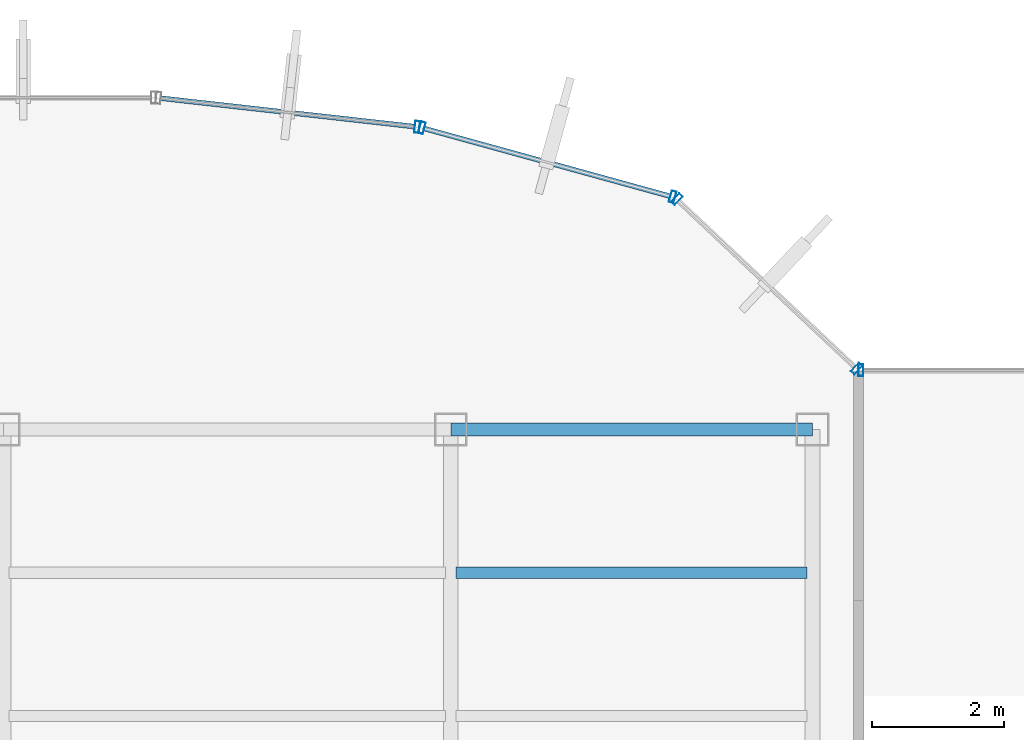
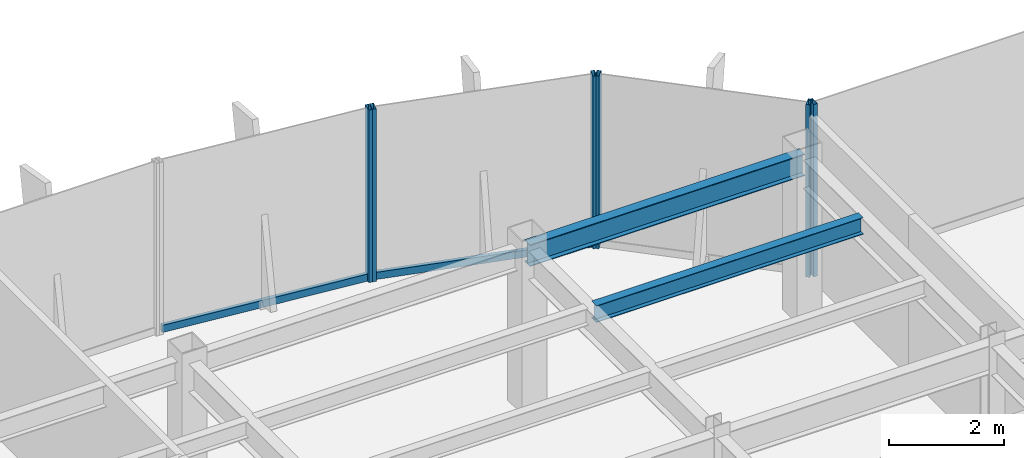
# One storey, part 13 of 21: 8 members, 2 beams, 4 elements without a shape of their own.
"""IFC4 building model written with IfcOpenShell, lengths in metres."""

from ifc_helpers import new_model, si_unit, derived_unit, direction, frame, origin, origin_2d, place, context, subcontext, project, spatial, hollow_rectangle, i_section, extrude, source, transform, mapped, material, material_profile, profile_set, type_object, element, aggregate, save


model = new_model("IFC4")

# Units and contexts
model_context = context("Model", 3, precision=1e-05, world=origin(), true_north=direction((0.0, 1.0)))
body_context = subcontext(model_context, "Body", "Model", "MODEL_VIEW")
ifc_project = project(units=[si_unit("LENGTHUNIT", "METRE"), si_unit("AREAUNIT", "SQUARE_METRE"), si_unit("VOLUMEUNIT", "CUBIC_METRE"), si_unit("PLANEANGLEUNIT", "RADIAN"), si_unit("MASSUNIT", "GRAM", prefix="KILO"), derived_unit("THERMALTRANSMITTANCEUNIT", [(si_unit("POWERUNIT", "WATT"), 1), (si_unit("LENGTHUNIT", "METRE"), -2), (si_unit("THERMODYNAMICTEMPERATUREUNIT", "KELVIN"), -1)])], contexts=[model_context])

# Site, building, storey
site_placement = place(None, origin())
site = spatial("IfcSite", under=ifc_project, at=site_placement, CompositionType="ELEMENT")
building_placement = place(site_placement, origin())
building = spatial("IfcBuilding", under=site, at=building_placement, Name="Skarnbrae Concourse Arena and Tower", CompositionType="ELEMENT")
storey_placement = place(building_placement, frame((0.0, 0.0, 188.60009765625)))
storey = spatial("IfcBuildingStorey", under=building, at=storey_placement, Name="L48", CompositionType="ELEMENT", Elevation=188.60009765625)

# Beams
ifc_material_1 = material(Name="Steel CSA G40.21 350W", Category="steel")
ifc_material_profile_1 = material_profile(ifc_material_1, i_section(OverallWidth=0.19091796875, OverallDepth=0.4599609375, WebThickness=0.010009765625, FlangeThickness=0.01611328125, at=origin_2d()), Name="W460X82")
ifc_profile_set_1 = profile_set([ifc_material_profile_1], Name="Steel CSA G40.21 350W")
beam_type_1 = type_object("IfcBeamType", Name="BM-SPAN-W460X82", PredefinedType="SPANDREL", material=ifc_profile_set_1)
shared_shape_1 = source(origin(), body_context, "Body", "SweptSolid", [
    extrude(i_section(OverallWidth=0.19091796875, OverallDepth=0.4599609375, WebThickness=0.010009765625, FlangeThickness=0.01611328125, at=origin_2d()), origin(), (0.0, 0.0, 1.0), 5.5),
])
beam_1_placement = place(storey_placement, frame((28.0, 34.39990234375, 3.169921875), z_axis=(1.0, 0.0, 0.0), x_axis=(0.0, 1.0, 0.0)))
element("IfcBeam", 1, at=beam_1_placement, inside=storey, type_object=beam_type_1, Name="L48 Perimeter spandrel Y34.4-4", PredefinedType="SPANDREL", context=body_context, shape_type="MappedRepresentation", body=[
    mapped(shared_shape_1, transform((0.0, 0.0, 0.0))),
])
ifc_material_profile_2 = material_profile(ifc_material_1, i_section(OverallWidth=0.1708984375, OverallDepth=0.35498046875, WebThickness=0.007080078125, FlangeThickness=0.01171875, at=origin_2d()), Name="W360X51")
ifc_profile_set_2 = profile_set([ifc_material_profile_2], Name="Steel CSA G40.21 350W")
beam_type_2 = type_object("IfcBeamType", Name="BM-JOIST-W360X51", PredefinedType="JOIST", material=ifc_profile_set_2)
shared_shape_2 = source(origin(), body_context, "Body", "SweptSolid", [
    extrude(i_section(OverallWidth=0.1708984375, OverallDepth=0.35498046875, WebThickness=0.007080078125, FlangeThickness=0.01171875, at=origin_2d()), origin(), (0.0, 0.0, 1.0), 5.33984375),
])
beam_2_placement = place(storey_placement, frame((28.080078125, 32.221923828125, 3.222412109375), z_axis=(1.0, 0.0, 0.0), x_axis=(0.0, 1.0, 0.0)))
element("IfcBeam", 2, at=beam_2_placement, inside=storey, type_object=beam_type_2, Name="L48 Secondary floor joist 3.2.4", PredefinedType="JOIST", context=body_context, shape_type="MappedRepresentation", body=[
    mapped(shared_shape_2, transform((0.0, 0.0, 0.0))),
])

# Curtain wall, member
ifc_material_2 = material(Name="Bronze anodised aluminium 6063-T6", Category="aluminium")
curtain_wall_type = type_object("IfcCurtainWallType", Name="CW-SYS-05-HIGHZONE", PredefinedType="USERDEFINED", material=ifc_material_2)
curtain_wall_1_placement = place(storey_placement, origin())
curtain_wall_1 = element("IfcCurtainWall", 3, at=curtain_wall_1_placement, inside=storey, type_object=curtain_wall_type, Name="L48 Unitised curtain wall CW-L48-E07", ObjectType="UNITISED CURTAIN WALL", PredefinedType="USERDEFINED")
ifc_material_profile_3 = material_profile(ifc_material_2, hollow_rectangle(XDim=0.074951171875, YDim=0.179931640625, WallThickness=0.00390625, at=origin_2d()), Name="ALU-MULL-75X180")
ifc_profile_set_3 = profile_set([ifc_material_profile_3], Name="Bronze anodised aluminium 6063-T6")
member_type_1 = type_object("IfcMemberType", Name="CWM-CW-05", PredefinedType="MULLION", material=ifc_profile_set_3)
shared_shape_3 = source(origin(), body_context, "Body", "SweptSolid", [
    extrude(hollow_rectangle(XDim=0.074951171875, YDim=0.179931640625, WallThickness=0.00390625, at=origin_2d()), origin(), (0.0, 0.0, 1.0), 3.64990234375),
])
member_1_placement = place(storey_placement, frame((34.237548828125, 35.300048828125, 0.0), z_axis=(0.0, 0.0, 1.0), x_axis=(-1.0, 0.0, 0.0)))
member_1 = element("IfcMember", 4, at=member_1_placement, type_object=member_type_1, Name="CW-L48-E07 Mullion 2", PredefinedType="MULLION", context=body_context, shape_type="MappedRepresentation", body=[
    mapped(shared_shape_3, transform((0.0, 0.0, 0.0))),
])
aggregate(curtain_wall_1, [member_1])

# Curtain wall, members
curtain_wall_2_placement = place(storey_placement, origin())
curtain_wall_2 = element("IfcCurtainWall", 5, at=curtain_wall_2_placement, inside=storey, type_object=curtain_wall_type, Name="L48 Unitised curtain wall CW-L48-E08", ObjectType="UNITISED CURTAIN WALL", PredefinedType="USERDEFINED")
member_2_placement = place(storey_placement, frame((34.172607421875, 35.32568359375, 0.0), z_axis=(0.0, 0.0, 1.0), x_axis=(-0.728130555214, 0.685438468838, 0.0)))
member_2 = element("IfcMember", 6, at=member_2_placement, type_object=member_type_1, Name="CW-L48-E08 Mullion 1", PredefinedType="MULLION", context=body_context, shape_type="MappedRepresentation", body=[
    mapped(shared_shape_3, transform((0.0, 0.0, 0.0))),
])
member_3_placement = place(storey_placement, frame((31.43701171875, 37.90087890625, 0.0), z_axis=(0.0, 0.0, 1.0), x_axis=(-0.728130555214, 0.685438468838, 0.0)))
member_3 = element("IfcMember", 7, at=member_3_placement, type_object=member_type_1, Name="CW-L48-E08 Mullion 2", PredefinedType="MULLION", context=body_context, shape_type="MappedRepresentation", body=[
    mapped(shared_shape_3, transform((0.0, 0.0, 0.0))),
])
aggregate(curtain_wall_2, [member_2, member_3])

curtain_wall_3_placement = place(storey_placement, origin())
curtain_wall_3 = element("IfcCurtainWall", 8, at=curtain_wall_3_placement, inside=storey, type_object=curtain_wall_type, Name="L48 Unitised curtain wall CW-L48-E09", ObjectType="UNITISED CURTAIN WALL", PredefinedType="USERDEFINED")
member_4_placement = place(storey_placement, frame((31.37353515625, 37.936767578125, 0.0), z_axis=(0.0, 0.0, 1.0), x_axis=(-0.964057388766, 0.265694093207, 0.0)))
member_4 = element("IfcMember", 9, at=member_4_placement, type_object=member_type_1, Name="CW-L48-E09 Mullion 1", PredefinedType="MULLION", context=body_context, shape_type="MappedRepresentation", body=[
    mapped(shared_shape_3, transform((0.0, 0.0, 0.0))),
])
member_5_placement = place(storey_placement, frame((27.56201171875, 38.987060546875, 0.0), z_axis=(0.0, 0.0, 1.0), x_axis=(-0.964057388766, 0.265694093207, 0.0)))
member_5 = element("IfcMember", 10, at=member_5_placement, type_object=member_type_1, Name="CW-L48-E09 Mullion 2", PredefinedType="MULLION", context=body_context, shape_type="MappedRepresentation", body=[
    mapped(shared_shape_3, transform((0.0, 0.0, 0.0))),
])

# Curtain wall, member
curtain_wall_4_placement = place(storey_placement, origin())
curtain_wall_4 = element("IfcCurtainWall", 11, at=curtain_wall_4_placement, inside=storey, type_object=curtain_wall_type, Name="L48 Unitised curtain wall CW-L48-E10", ObjectType="UNITISED CURTAIN WALL", PredefinedType="USERDEFINED")
member_6_placement = place(storey_placement, frame((27.488525390625, 39.001220703125, 0.0), z_axis=(0.0, 0.0, 1.0), x_axis=(-0.993768891873, 0.111460259941, 0.0)))
member_6 = element("IfcMember", 12, at=member_6_placement, type_object=member_type_1, Name="CW-L48-E10 Mullion 1", PredefinedType="MULLION", context=body_context, shape_type="MappedRepresentation", body=[
    mapped(shared_shape_3, transform((0.0, 0.0, 0.0))),
])

# Member
ifc_material_profile_4 = material_profile(ifc_material_2, hollow_rectangle(XDim=0.074951171875, YDim=0.14990234375, WallThickness=0.00390625, at=origin_2d()), Name="ALU-TRAN-75X150")
ifc_profile_set_4 = profile_set([ifc_material_profile_4], Name="Bronze anodised aluminium 6063-T6")
member_type_2 = type_object("IfcMemberType", Name="CWT-CW-05", PredefinedType="USERDEFINED", material=ifc_profile_set_4)
shared_shape_4 = source(origin(), body_context, "Body", "SweptSolid", [
    extrude(hollow_rectangle(XDim=0.074951171875, YDim=0.14990234375, WallThickness=0.00390625, at=origin_2d()), origin(), (0.0, 0.0, 1.0), 3.878662109375),
])
member_7_placement = place(storey_placement, frame((31.33740234375, 37.946533203125, 0.074951171875), z_axis=(-0.964042677713, 0.265747465742, 0.0), x_axis=(-0.265747465742, -0.964042677713, 0.0)))
member_7 = element("IfcMember", 13, at=member_7_placement, type_object=member_type_2, Name="CW-L48-E09 Transom 1", ObjectType="TRANSOM", PredefinedType="USERDEFINED", context=body_context, shape_type="MappedRepresentation", body=[
    mapped(shared_shape_4, transform((0.0, 0.0, 0.0))),
])

aggregate(curtain_wall_3, [member_4, member_5, member_7])

shared_shape_5 = source(origin(), body_context, "Body", "SweptSolid", [
    extrude(hollow_rectangle(XDim=0.074951171875, YDim=0.14990234375, WallThickness=0.00390625, at=origin_2d()), origin(), (0.0, 0.0, 1.0), 3.8837890625),
])
member_8_placement = place(storey_placement, frame((27.451416015625, 39.005615234375, 0.074951171875), z_axis=(-0.993776714154, 0.111390495128, 0.0), x_axis=(-0.111390495128, -0.993776714154, 0.0)))
member_8 = element("IfcMember", 14, at=member_8_placement, type_object=member_type_2, Name="CW-L48-E10 Transom 1", ObjectType="TRANSOM", PredefinedType="USERDEFINED", context=body_context, shape_type="MappedRepresentation", body=[
    mapped(shared_shape_5, transform((0.0, 0.0, 0.0))),
])

aggregate(curtain_wall_4, [member_6, member_8])

save(model, "model.ifc")
